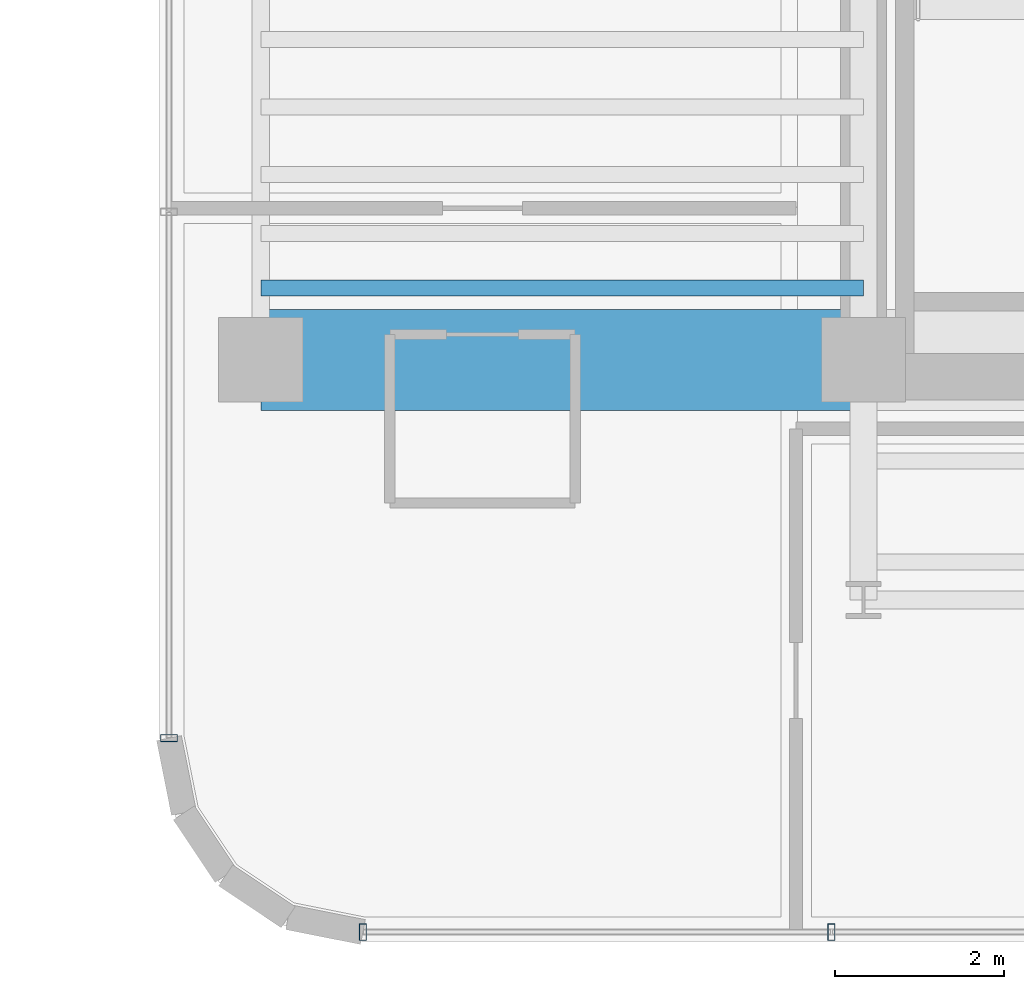
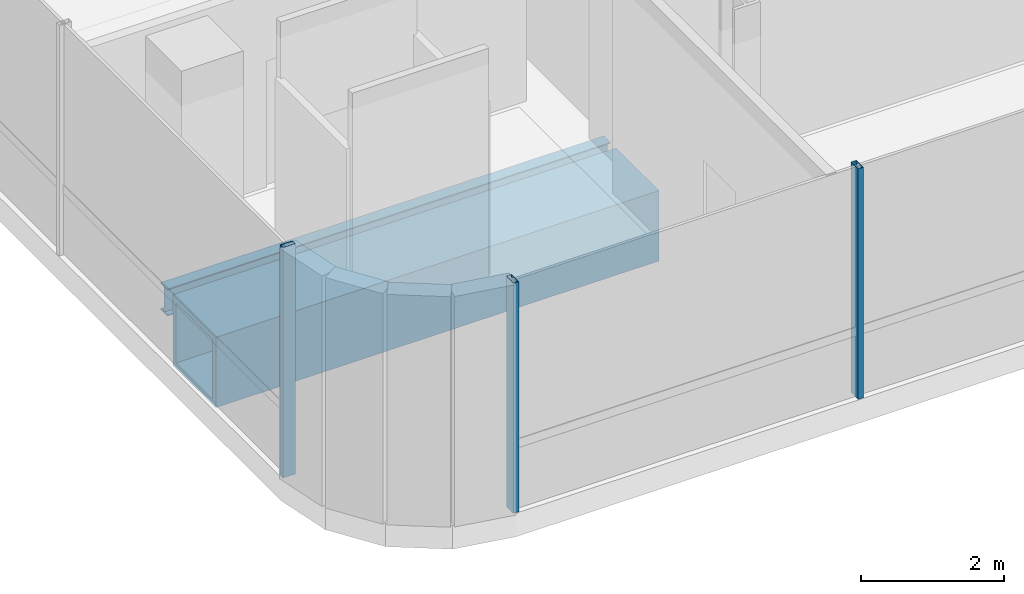
# One storey, part 2 of 37: 3 members, 2 beams, 2 elements without a shape of their own.
"""IFC4 building model written with IfcOpenShell, lengths in metres."""

from ifc_helpers import new_model, si_unit, direction, frame, origin, origin_2d, place, context, subcontext, project, spatial, hollow_rectangle, i_section, extrude, source, transform, mapped, material, material_profile, profile_set, type_object, element, aggregate, save


model = new_model("IFC4")

# Units and contexts
model_context = context("Model", 3, precision=1e-05, world=origin(), true_north=direction((0.0, 1.0)))
body_context = subcontext(model_context, "Body", "Model", "MODEL_VIEW")
ifc_project = project(units=[si_unit("LENGTHUNIT", "METRE"), si_unit("AREAUNIT", "SQUARE_METRE"), si_unit("VOLUMEUNIT", "CUBIC_METRE"), si_unit("PLANEANGLEUNIT", "RADIAN"), si_unit("MASSUNIT", "GRAM", prefix="KILO")], contexts=[model_context])

# Site, building, storey
site_placement = place(None, origin())
site = spatial("IfcSite", under=ifc_project, at=site_placement, CompositionType="ELEMENT")
building_placement = place(site_placement, origin())
building = spatial("IfcBuilding", under=site, at=building_placement, Name="Valdorenza Pilgrim Sanctuary Tower", CompositionType="ELEMENT")
storey_placement = place(building_placement, frame((0.0, 0.0, 172.300048828125)))
storey = spatial("IfcBuildingStorey", under=building, at=storey_placement, Name="L44", CompositionType="ELEMENT", Elevation=172.300048828125)

# Beams
ifc_material_1 = material(Name="Steel ASTM A572 Grade 42", Category="steel")
ifc_material_profile_1 = material_profile(ifc_material_1, hollow_rectangle(XDim=1.199951171875, YDim=1.199951171875, WallThickness=0.090087890625, at=origin_2d()), Name="BOX 1200x1200x90")
ifc_profile_set_1 = profile_set([ifc_material_profile_1], Name="Steel ASTM A572 Grade 42")
beam_type_1 = type_object("IfcBeamType", Name="STR-BM-TRF-1200", PredefinedType="BEAM", material=ifc_profile_set_1)
shared_shape_1 = source(origin(), body_context, "Body", "SweptSolid", [
    extrude(hollow_rectangle(XDim=1.199951171875, YDim=1.199951171875, WallThickness=0.090087890625, at=origin_2d()), origin(), (0.0, 0.0, 1.0), 7.150146484375),
])
beam_1_placement = place(storey_placement, frame((-29.800048828125, -10.60009765625, -1.0), z_axis=(1.0, 0.0, 0.0), x_axis=(0.0, 1.0, 0.0)))
element("IfcBeam", 1, at=beam_1_placement, inside=storey, type_object=beam_type_1, Name="L44 Transfer Girder WA-XW-S1", PredefinedType="BEAM", context=body_context, shape_type="MappedRepresentation", body=[
    mapped(shared_shape_1, transform((0.0, 0.0, 0.0), x_axis=(1.0, 0.0, 0.0), y_axis=(0.0, 1.0, 0.0), z_axis=(0.0, 0.0, 1.0), scale=1.0)),
])
ifc_material_2 = material(Name="Steel ASTM A992 Grade 50", Category="steel")
ifc_material_profile_2 = material_profile(ifc_material_2, i_section(OverallWidth=0.19091796875, OverallDepth=0.45703125, WebThickness=0.009033203125, FlangeThickness=0.014404296875, at=origin_2d()), Name="W18X50")
ifc_profile_set_2 = profile_set([ifc_material_profile_2], Name="Steel ASTM A992 Grade 50")
beam_type_2 = type_object("IfcBeamType", Name="STR-BM-JST-W18B", PredefinedType="JOIST", material=ifc_profile_set_2)
shared_shape_2 = source(origin(), body_context, "Body", "SweptSolid", [
    extrude(i_section(OverallWidth=0.19091796875, OverallDepth=0.45703125, WebThickness=0.009033203125, FlangeThickness=0.014404296875, at=origin_2d()), origin(), (0.0, 0.0, 1.0), 7.150146484375),
])
beam_2_placement = place(storey_placement, frame((-29.800048828125, -9.75, -0.628662109375), z_axis=(1.0, 0.0, 0.0), x_axis=(0.0, 1.0, 0.0)))
element("IfcBeam", 2, at=beam_2_placement, inside=storey, type_object=beam_type_2, Name="L44 Composite Floor Joist JST-WA-1", PredefinedType="JOIST", context=body_context, shape_type="MappedRepresentation", body=[
    mapped(shared_shape_2, transform((0.0, 0.0, 0.0), x_axis=(1.0, 0.0, 0.0), y_axis=(0.0, 1.0, 0.0), z_axis=(0.0, 0.0, 1.0), scale=1.0)),
])

# Curtain wall, member
ifc_material_3 = material(Name="Curtain-wall IGU glazing", Category="glass")
curtain_wall_type = type_object("IfcCurtainWallType", Name="CW-SYS-02", PredefinedType="NOTDEFINED", material=ifc_material_3)
curtain_wall_1_placement = place(storey_placement, origin())
curtain_wall_1 = element("IfcCurtainWall", 3, at=curtain_wall_1_placement, inside=storey, type_object=curtain_wall_type, Name="L44 Curtain Wall CW-L44-1-1S1", PredefinedType="NOTDEFINED")
ifc_material_4 = material(Name="Anodised aluminium AW-6060", Category="aluminium")
ifc_material_profile_3 = material_profile(ifc_material_4, hollow_rectangle(XDim=0.0849609375, YDim=0.199951171875, WallThickness=0.0048828125, at=origin_2d()), Name="ALU-M 200x85x5")
ifc_profile_set_3 = profile_set([ifc_material_profile_3], Name="Anodised aluminium AW-6060")
member_type = type_object("IfcMemberType", Name="CW-MUL-02", PredefinedType="MULLION", material=ifc_profile_set_3)
shared_shape_3 = source(origin(), body_context, "Body", "SweptSolid", [
    extrude(hollow_rectangle(XDim=0.0849609375, YDim=0.199951171875, WallThickness=0.0048828125, at=origin_2d()), origin(), (0.0, 0.0, 1.0), 3.929931640625),
])
member_1_placement = place(storey_placement, frame((-30.889892578125, -15.089111328125, 0.0), z_axis=(0.0, 0.0, 1.0), x_axis=(0.0, 1.0, 0.0)))
member_1 = element("IfcMember", 4, at=member_1_placement, type_object=member_type, Name="CW-L44-1-1S1 Mullion 1", PredefinedType="MULLION", context=body_context, shape_type="MappedRepresentation", body=[
    mapped(shared_shape_3, transform((0.0, 0.0, 0.0), x_axis=(1.0, 0.0, 0.0), y_axis=(0.0, 1.0, 0.0), z_axis=(0.0, 0.0, 1.0), scale=1.0)),
])
aggregate(curtain_wall_1, [member_1])

# Curtain wall, members
curtain_wall_2_placement = place(storey_placement, origin())
curtain_wall_2 = element("IfcCurtainWall", 5, at=curtain_wall_2_placement, inside=storey, type_object=curtain_wall_type, Name="L44 Curtain Wall CW-L44-1-82", PredefinedType="NOTDEFINED")
member_2_placement = place(storey_placement, frame((-23.02978515625, -17.389892578125, 0.0), z_axis=(0.0, 0.0, 1.0), x_axis=(-1.0, 0.0, 0.0)))
member_2 = element("IfcMember", 6, at=member_2_placement, type_object=member_type, Name="CW-L44-1-82 Mullion 3", PredefinedType="MULLION", context=body_context, shape_type="MappedRepresentation", body=[
    mapped(shared_shape_3, transform((0.0, 0.0, 0.0), x_axis=(1.0, 0.0, 0.0), y_axis=(0.0, 1.0, 0.0), z_axis=(0.0, 0.0, 1.0), scale=1.0)),
])
member_3_placement = place(storey_placement, frame((-28.589111328125, -17.389892578125, 0.0), z_axis=(0.0, 0.0, 1.0), x_axis=(-1.0, 0.0, 0.0)))
member_3 = element("IfcMember", 7, at=member_3_placement, type_object=member_type, Name="CW-L44-1-82 Mullion 4", PredefinedType="MULLION", context=body_context, shape_type="MappedRepresentation", body=[
    mapped(shared_shape_3, transform((0.0, 0.0, 0.0), x_axis=(1.0, 0.0, 0.0), y_axis=(0.0, 1.0, 0.0), z_axis=(0.0, 0.0, 1.0), scale=1.0)),
])
aggregate(curtain_wall_2, [member_2, member_3])

save(model, "model.ifc")
